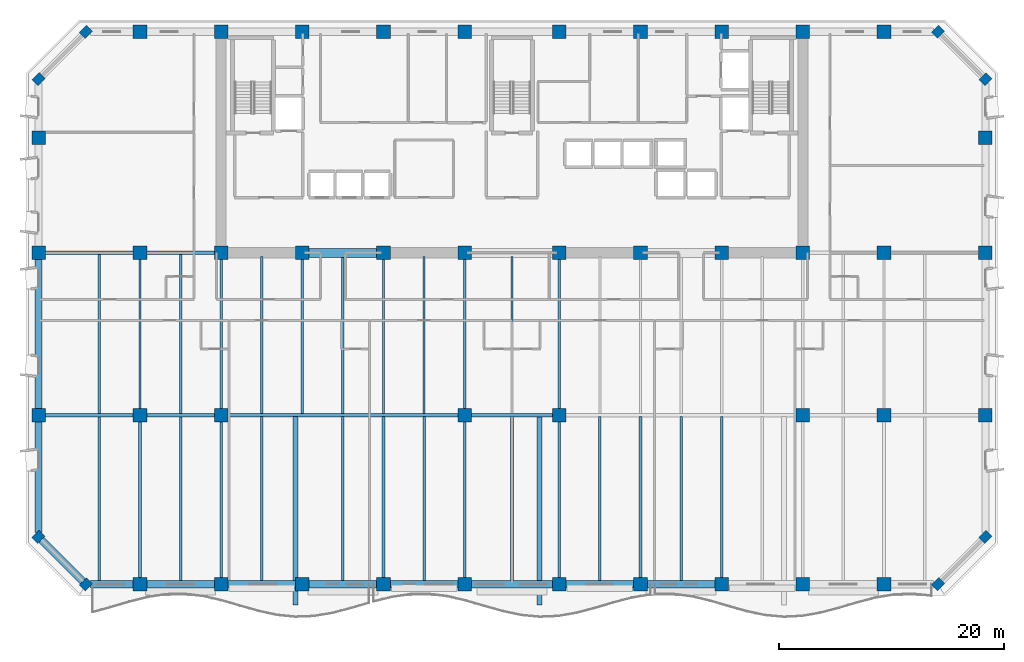
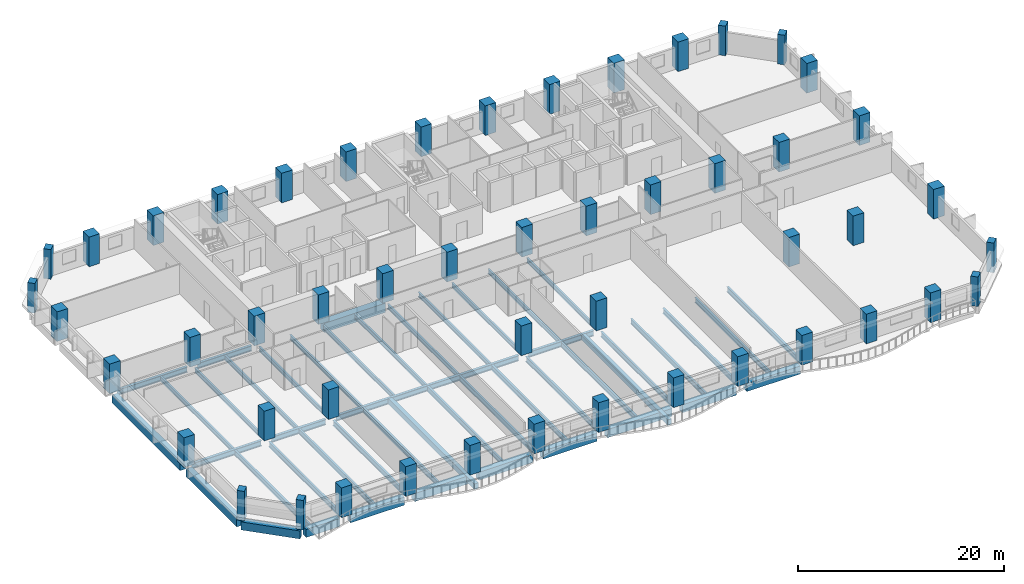
# One storey, part 1 of 15: 50 columns, 47 beams.
"""IFC4 building model written with IfcOpenShell, lengths in metres."""

from ifc_helpers import new_model, si_unit, direction, frame, origin, origin_2d, place, context, subcontext, project, spatial, rectangle, i_section, extrude, material, material_profile, profile_set, type_object, element, save


model = new_model("IFC4")

# Units and contexts
model_context = context("Model", 3, precision=1e-05, world=origin(), true_north=direction((0.0, 1.0)))
body_context = subcontext(model_context, "Body", "Model", "MODEL_VIEW")
ifc_project = project(units=[si_unit("LENGTHUNIT", "METRE"), si_unit("AREAUNIT", "SQUARE_METRE"), si_unit("VOLUMEUNIT", "CUBIC_METRE"), si_unit("PLANEANGLEUNIT", "RADIAN"), si_unit("MASSUNIT", "GRAM", prefix="KILO")], contexts=[model_context])

# Site, building, storey
site_placement = place(None, origin())
site = spatial("IfcSite", under=ifc_project, at=site_placement, CompositionType="ELEMENT")
building_placement = place(site_placement, origin())
building = spatial("IfcBuilding", under=site, at=building_placement, Name="Kaelvorn Grand Hotel", CompositionType="ELEMENT")
storey_placement = place(building_placement, frame((0.0, 0.0, 111.800048828125)))
storey = spatial("IfcBuildingStorey", under=building, at=storey_placement, Name="L26", CompositionType="ELEMENT", Elevation=111.800048828125)

# Columns
ifc_material_1 = material(Name="Concrete C60/75", Category="concrete")
ifc_material_profile_1 = material_profile(ifc_material_1, rectangle(XDim=0.89990234375, YDim=0.75, at=origin_2d()), Name="RC PILASTER 900x750")
ifc_profile_set_1 = profile_set([ifc_material_profile_1], Name="Concrete C60/75")
column_type_1 = type_object("IfcColumnType", Name="COL-PIL-900x750-C60", PredefinedType="PILASTER", material=ifc_profile_set_1)
for number, where, z_axis, x_axis, name in (
    (1, (4.199951171875, 0.0, 0.0), (0.0, 0.0, 1.0), (0.707106781187, 0.707106781187, 0.0), "L26 Structural Column CH-01"),
    (2, (79.800048828125, 0.0, 0.0), (0.0, 0.0, 1.0), (0.707106781187, 0.707106781187, 0.0), "L26 Structural Column CH-02"),
    (3, (84.0, 4.199951171875, 0.0), (0.0, 0.0, 1.0), (0.707106781187, 0.707106781187, 0.0), "L26 Structural Column CH-03"),
    (4, (84.0, 44.800048828125, 0.0), (0.0, 0.0, 1.0), (0.707106781187, 0.707106781187, 0.0), "L26 Structural Column CH-04"),
    (5, (79.800048828125, 49.0, 0.0), (0.0, 0.0, 1.0), (0.707106781187, 0.707106781187, 0.0), "L26 Structural Column CH-05"),
    (6, (4.199951171875, 49.0, 0.0), (0.0, 0.0, 1.0), (0.707106781187, 0.707106781187, 0.0), "L26 Structural Column CH-06"),
    (7, (0.0, 44.800048828125, 0.0), (0.0, 0.0, 1.0), (0.707106781187, 0.707106781187, 0.0), "L26 Structural Column CH-07"),
    (8, (0.0, 4.199951171875, 0.0), (0.0, 0.0, 1.0), (0.707106781187, 0.707106781187, 0.0), "L26 Structural Column CH-08"),
):
    element("IfcColumn", number, at=place(storey_placement, frame(where, z_axis=z_axis, x_axis=x_axis)), inside=storey, type_object=column_type_1, Name=name, PredefinedType="PILASTER", context=body_context, shape_type="SweptSolid", body=[
        extrude(rectangle(XDim=0.89990234375, YDim=0.75, at=origin_2d()), origin(), (0.0, 0.0, 1.0), 3.510009765625),
    ])
ifc_material_profile_2 = material_profile(ifc_material_1, rectangle(XDim=1.199951171875, YDim=1.199951171875, at=origin_2d()), Name="RC COL 1200x1200")
ifc_profile_set_2 = profile_set([ifc_material_profile_2], Name="Concrete C60/75")
column_type_2 = type_object("IfcColumnType", Name="COL-RC-1200-C60", PredefinedType="COLUMN", material=ifc_profile_set_2)
for number, where, z_axis, x_axis, name in (
    (9, (9.0, 0.0, 0.0), (0.0, 0.0, 1.0), (1.0, 0.0, 0.0), "L26 Structural Column S-01"),
    (10, (16.199951171875, 0.0, 0.0), (0.0, 0.0, 1.0), (1.0, 0.0, 0.0), "L26 Structural Column S-02"),
    (11, (23.39990234375, 0.0, 0.0), (0.0, 0.0, 1.0), (1.0, 0.0, 0.0), "L26 Structural Column S-03"),
    (12, (30.60009765625, 0.0, 0.0), (0.0, 0.0, 1.0), (1.0, 0.0, 0.0), "L26 Structural Column S-04"),
    (13, (37.800048828125, 0.0, 0.0), (0.0, 0.0, 1.0), (1.0, 0.0, 0.0), "L26 Structural Column S-05"),
    (14, (46.199951171875, 0.0, 0.0), (0.0, 0.0, 1.0), (1.0, 0.0, 0.0), "L26 Structural Column S-06"),
    (15, (53.39990234375, 0.0, 0.0), (0.0, 0.0, 1.0), (1.0, 0.0, 0.0), "L26 Structural Column S-07"),
    (16, (60.60009765625, 0.0, 0.0), (0.0, 0.0, 1.0), (1.0, 0.0, 0.0), "L26 Structural Column S-08"),
    (17, (67.800048828125, 0.0, 0.0), (0.0, 0.0, 1.0), (1.0, 0.0, 0.0), "L26 Structural Column S-09"),
    (18, (75.0, 0.0, 0.0), (0.0, 0.0, 1.0), (1.0, 0.0, 0.0), "L26 Structural Column S-10"),
    (19, (0.0, 15.0, 0.0), (0.0, 0.0, 1.0), (1.0, 0.0, 0.0), "L26 Structural Column W-01"),
    (20, (84.0, 15.0, 0.0), (0.0, 0.0, 1.0), (1.0, 0.0, 0.0), "L26 Structural Column E-01"),
    (21, (0.0, 29.39990234375, 0.0), (0.0, 0.0, 1.0), (1.0, 0.0, 0.0), "L26 Structural Column W-02"),
    (22, (84.0, 29.39990234375, 0.0), (0.0, 0.0, 1.0), (1.0, 0.0, 0.0), "L26 Structural Column E-02"),
    (23, (0.0, 39.60009765625, 0.0), (0.0, 0.0, 1.0), (1.0, 0.0, 0.0), "L26 Structural Column W-03"),
    (24, (84.0, 39.60009765625, 0.0), (0.0, 0.0, 1.0), (1.0, 0.0, 0.0), "L26 Structural Column E-03"),
    (25, (9.0, 15.0, 0.0), (0.0, 0.0, 1.0), (1.0, 0.0, 0.0), "L26 Structural Column M-01"),
    (26, (16.199951171875, 15.0, 0.0), (0.0, 0.0, 1.0), (1.0, 0.0, 0.0), "L26 Structural Column M-02"),
    (27, (37.800048828125, 15.0, 0.0), (0.0, 0.0, 1.0), (1.0, 0.0, 0.0), "L26 Structural Column M-03"),
    (28, (46.199951171875, 15.0, 0.0), (0.0, 0.0, 1.0), (1.0, 0.0, 0.0), "L26 Structural Column M-04"),
    (29, (67.800048828125, 15.0, 0.0), (0.0, 0.0, 1.0), (1.0, 0.0, 0.0), "L26 Structural Column M-05"),
    (30, (75.0, 15.0, 0.0), (0.0, 0.0, 1.0), (1.0, 0.0, 0.0), "L26 Structural Column M-06"),
    (31, (9.0, 29.39990234375, 0.0), (0.0, 0.0, 1.0), (1.0, 0.0, 0.0), "L26 Structural Column CR1-01"),
    (32, (9.0, 49.0, 0.0), (0.0, 0.0, 1.0), (1.0, 0.0, 0.0), "L26 Structural Column CR2-01"),
    (33, (16.199951171875, 29.39990234375, 0.0), (0.0, 0.0, 1.0), (1.0, 0.0, 0.0), "L26 Structural Column CR1-02"),
    (34, (16.199951171875, 49.0, 0.0), (0.0, 0.0, 1.0), (1.0, 0.0, 0.0), "L26 Structural Column CR2-02"),
    (35, (23.39990234375, 29.39990234375, 0.0), (0.0, 0.0, 1.0), (1.0, 0.0, 0.0), "L26 Structural Column CR1-03"),
    (36, (23.39990234375, 49.0, 0.0), (0.0, 0.0, 1.0), (1.0, 0.0, 0.0), "L26 Structural Column CR2-03"),
    (37, (30.60009765625, 29.39990234375, 0.0), (0.0, 0.0, 1.0), (1.0, 0.0, 0.0), "L26 Structural Column CR1-04"),
    (38, (30.60009765625, 49.0, 0.0), (0.0, 0.0, 1.0), (1.0, 0.0, 0.0), "L26 Structural Column CR2-04"),
    (39, (37.800048828125, 29.39990234375, 0.0), (0.0, 0.0, 1.0), (1.0, 0.0, 0.0), "L26 Structural Column CR1-05"),
    (40, (37.800048828125, 49.0, 0.0), (0.0, 0.0, 1.0), (1.0, 0.0, 0.0), "L26 Structural Column CR2-05"),
    (41, (46.199951171875, 29.39990234375, 0.0), (0.0, 0.0, 1.0), (1.0, 0.0, 0.0), "L26 Structural Column CR1-06"),
    (42, (46.199951171875, 49.0, 0.0), (0.0, 0.0, 1.0), (1.0, 0.0, 0.0), "L26 Structural Column CR2-06"),
    (43, (53.39990234375, 29.39990234375, 0.0), (0.0, 0.0, 1.0), (1.0, 0.0, 0.0), "L26 Structural Column CR1-07"),
    (44, (53.39990234375, 49.0, 0.0), (0.0, 0.0, 1.0), (1.0, 0.0, 0.0), "L26 Structural Column CR2-07"),
    (45, (60.60009765625, 29.39990234375, 0.0), (0.0, 0.0, 1.0), (1.0, 0.0, 0.0), "L26 Structural Column CR1-08"),
    (46, (60.60009765625, 49.0, 0.0), (0.0, 0.0, 1.0), (1.0, 0.0, 0.0), "L26 Structural Column CR2-08"),
    (47, (67.800048828125, 29.39990234375, 0.0), (0.0, 0.0, 1.0), (1.0, 0.0, 0.0), "L26 Structural Column CR1-09"),
    (48, (67.800048828125, 49.0, 0.0), (0.0, 0.0, 1.0), (1.0, 0.0, 0.0), "L26 Structural Column CR2-09"),
    (49, (75.0, 29.39990234375, 0.0), (0.0, 0.0, 1.0), (1.0, 0.0, 0.0), "L26 Structural Column CR1-10"),
    (50, (75.0, 49.0, 0.0), (0.0, 0.0, 1.0), (1.0, 0.0, 0.0), "L26 Structural Column CR2-10"),
):
    element("IfcColumn", number, at=place(storey_placement, frame(where, z_axis=z_axis, x_axis=x_axis)), inside=storey, type_object=column_type_2, Name=name, PredefinedType="COLUMN", context=body_context, shape_type="SweptSolid", body=[
        extrude(rectangle(XDim=1.199951171875, YDim=1.199951171875, at=origin_2d()), origin(), (0.0, 0.0, 1.0), 3.510009765625),
    ])

# Beams
ifc_material_2 = material(Name="Steel S355", Category="steel")
ifc_material_profile_3 = material_profile(ifc_material_2, i_section(OverallWidth=0.300048828125, OverallDepth=0.64990234375, WebThickness=0.01611328125, FlangeThickness=0.031005859375, FilletRadius=0.027099609375, at=origin_2d()), Name="HEB 650")
ifc_profile_set_3 = profile_set([ifc_material_profile_3], Name="Steel S355")
beam_type_1 = type_object("IfcBeamType", Name="BM-G-HEB650-S355", PredefinedType="BEAM", material=ifc_profile_set_3)
beam_1_placement = place(storey_placement, frame((0.5849609375, 15.0, -0.56494140625), z_axis=(1.0, 0.0, 0.0), x_axis=(0.0, 1.0, 0.0)))
element("IfcBeam", 51, at=beam_1_placement, inside=storey, type_object=beam_type_1, Name="L26 Primary Spine Steel Girder G-15 01", PredefinedType="BEAM", context=body_context, shape_type="SweptSolid", body=[
    extrude(i_section(OverallWidth=0.300048828125, OverallDepth=0.64990234375, WebThickness=0.01611328125, FlangeThickness=0.031005859375, FilletRadius=0.027099609375, at=origin_2d()), origin(), (0.0, 0.0, 1.0), 7.830078125),
])
beam_2_placement = place(storey_placement, frame((9.5849609375, 15.0, -0.56494140625), z_axis=(1.0, 0.0, 0.0), x_axis=(0.0, 1.0, 0.0)))
element("IfcBeam", 52, at=beam_2_placement, inside=storey, type_object=beam_type_1, Name="L26 Primary Spine Steel Girder G-15 02", PredefinedType="BEAM", context=body_context, shape_type="SweptSolid", body=[
    extrude(i_section(OverallWidth=0.300048828125, OverallDepth=0.64990234375, WebThickness=0.01611328125, FlangeThickness=0.031005859375, FilletRadius=0.027099609375, at=origin_2d()), origin(), (0.0, 0.0, 1.0), 6.030029296875),
])
beam_3_placement = place(storey_placement, frame((16.784912109375, 15.0, -0.56494140625), z_axis=(1.0, 0.0, 0.0), x_axis=(0.0, 1.0, 0.0)))
element("IfcBeam", 53, at=beam_3_placement, inside=storey, type_object=beam_type_1, Name="L26 Primary Spine Steel Girder G-15 03", PredefinedType="BEAM", context=body_context, shape_type="SweptSolid", body=[
    extrude(i_section(OverallWidth=0.300048828125, OverallDepth=0.64990234375, WebThickness=0.01611328125, FlangeThickness=0.031005859375, FilletRadius=0.027099609375, at=origin_2d()), origin(), (0.0, 0.0, 1.0), 20.43017578125),
])
beam_4_placement = place(storey_placement, frame((38.385009765625, 15.0, -0.56494140625), z_axis=(1.0, 0.0, 0.0), x_axis=(0.0, 1.0, 0.0)))
element("IfcBeam", 54, at=beam_4_placement, inside=storey, type_object=beam_type_1, Name="L26 Primary Spine Steel Girder G-15 04", PredefinedType="BEAM", context=body_context, shape_type="SweptSolid", body=[
    extrude(i_section(OverallWidth=0.300048828125, OverallDepth=0.64990234375, WebThickness=0.01611328125, FlangeThickness=0.031005859375, FilletRadius=0.027099609375, at=origin_2d()), origin(), (0.0, 0.0, 1.0), 7.22998046875),
])
beam_5_placement = place(storey_placement, frame((0.5849609375, 29.39990234375, -0.56494140625), z_axis=(1.0, 0.0, 0.0), x_axis=(0.0, 1.0, 0.0)))
element("IfcBeam", 55, at=beam_5_placement, inside=storey, type_object=beam_type_1, Name="L26 West Core Wing Steel Girder G-29W 01", PredefinedType="BEAM", context=body_context, shape_type="SweptSolid", body=[
    extrude(i_section(OverallWidth=0.300048828125, OverallDepth=0.64990234375, WebThickness=0.01611328125, FlangeThickness=0.031005859375, FilletRadius=0.027099609375, at=origin_2d()), origin(), (0.0, 0.0, 1.0), 7.830078125),
])
beam_6_placement = place(storey_placement, frame((9.5849609375, 29.39990234375, -0.56494140625), z_axis=(1.0, 0.0, 0.0), x_axis=(0.0, 1.0, 0.0)))
element("IfcBeam", 56, at=beam_6_placement, inside=storey, type_object=beam_type_1, Name="L26 West Core Wing Steel Girder G-29W 02", PredefinedType="BEAM", context=body_context, shape_type="SweptSolid", body=[
    extrude(i_section(OverallWidth=0.300048828125, OverallDepth=0.64990234375, WebThickness=0.01611328125, FlangeThickness=0.031005859375, FilletRadius=0.027099609375, at=origin_2d()), origin(), (0.0, 0.0, 1.0), 6.030029296875),
])
ifc_material_profile_4 = material_profile(ifc_material_2, i_section(OverallWidth=0.209228515625, OverallDepth=0.533203125, WebThickness=0.010009765625, FlangeThickness=0.015625, FilletRadius=0.0126953125, at=origin_2d()), Name="UB 533x210x92")
ifc_profile_set_4 = profile_set([ifc_material_profile_4], Name="Steel S355")
beam_type_2 = type_object("IfcBeamType", Name="BM-J-UB533-S355", PredefinedType="JOIST", material=ifc_profile_set_4)
beam_7_placement = place(storey_placement, frame((5.39990234375, 15.135009765625, -0.506591796875), z_axis=(0.0, 1.0, 0.0), x_axis=(-1.0, 0.0, 0.0)))
element("IfcBeam", 57, at=beam_7_placement, inside=storey, type_object=beam_type_2, Name="L26 Composite Floor Joist JM-02", PredefinedType="JOIST", context=body_context, shape_type="SweptSolid", body=[
    extrude(i_section(OverallWidth=0.209228515625, OverallDepth=0.533203125, WebThickness=0.010009765625, FlangeThickness=0.015625, FilletRadius=0.0126953125, at=origin_2d()), origin(), (0.0, 0.0, 1.0), 14.1298828125),
])
beam_8_placement = place(storey_placement, frame((9.0, 15.5849609375, -0.506591796875), z_axis=(0.0, 1.0, 0.0), x_axis=(-1.0, 0.0, 0.0)))
element("IfcBeam", 58, at=beam_8_placement, inside=storey, type_object=beam_type_2, Name="L26 Composite Floor Joist JM-03", PredefinedType="JOIST", context=body_context, shape_type="SweptSolid", body=[
    extrude(i_section(OverallWidth=0.209228515625, OverallDepth=0.533203125, WebThickness=0.010009765625, FlangeThickness=0.015625, FilletRadius=0.0126953125, at=origin_2d()), origin(), (0.0, 0.0, 1.0), 13.22998046875),
])
beam_9_placement = place(storey_placement, frame((12.60009765625, 15.135009765625, -0.506591796875), z_axis=(0.0, 1.0, 0.0), x_axis=(-1.0, 0.0, 0.0)))
element("IfcBeam", 59, at=beam_9_placement, inside=storey, type_object=beam_type_2, Name="L26 Composite Floor Joist JM-04", PredefinedType="JOIST", context=body_context, shape_type="SweptSolid", body=[
    extrude(i_section(OverallWidth=0.209228515625, OverallDepth=0.533203125, WebThickness=0.010009765625, FlangeThickness=0.015625, FilletRadius=0.0126953125, at=origin_2d()), origin(), (0.0, 0.0, 1.0), 14.1298828125),
])
beam_10_placement = place(storey_placement, frame((16.199951171875, 15.5849609375, -0.506591796875), z_axis=(0.0, 1.0, 0.0), x_axis=(-1.0, 0.0, 0.0)))
element("IfcBeam", 60, at=beam_10_placement, inside=storey, type_object=beam_type_2, Name="L26 Composite Floor Joist JM-05", PredefinedType="JOIST", context=body_context, shape_type="SweptSolid", body=[
    extrude(i_section(OverallWidth=0.209228515625, OverallDepth=0.533203125, WebThickness=0.010009765625, FlangeThickness=0.015625, FilletRadius=0.0126953125, at=origin_2d()), origin(), (0.0, 0.0, 1.0), 13.22998046875),
])
beam_11_placement = place(storey_placement, frame((19.800048828125, 15.135009765625, -0.506591796875), z_axis=(0.0, 1.0, 0.0), x_axis=(-1.0, 0.0, 0.0)))
element("IfcBeam", 61, at=beam_11_placement, inside=storey, type_object=beam_type_2, Name="L26 Composite Floor Joist JM-06", PredefinedType="JOIST", context=body_context, shape_type="SweptSolid", body=[
    extrude(i_section(OverallWidth=0.209228515625, OverallDepth=0.533203125, WebThickness=0.010009765625, FlangeThickness=0.015625, FilletRadius=0.0126953125, at=origin_2d()), origin(), (0.0, 0.0, 1.0), 13.925048828125),
])
beam_12_placement = place(storey_placement, frame((23.39990234375, 15.135009765625, -0.506591796875), z_axis=(0.0, 1.0, 0.0), x_axis=(-1.0, 0.0, 0.0)))
element("IfcBeam", 62, at=beam_12_placement, inside=storey, type_object=beam_type_2, Name="L26 Composite Floor Joist JM-07", PredefinedType="JOIST", context=body_context, shape_type="SweptSolid", body=[
    extrude(i_section(OverallWidth=0.209228515625, OverallDepth=0.533203125, WebThickness=0.010009765625, FlangeThickness=0.015625, FilletRadius=0.0126953125, at=origin_2d()), origin(), (0.0, 0.0, 1.0), 13.679931640625),
])
beam_13_placement = place(storey_placement, frame((27.0, 15.135009765625, -0.506591796875), z_axis=(0.0, 1.0, 0.0), x_axis=(-1.0, 0.0, 0.0)))
element("IfcBeam", 63, at=beam_13_placement, inside=storey, type_object=beam_type_2, Name="L26 Composite Floor Joist JM-08", PredefinedType="JOIST", context=body_context, shape_type="SweptSolid", body=[
    extrude(i_section(OverallWidth=0.209228515625, OverallDepth=0.533203125, WebThickness=0.010009765625, FlangeThickness=0.015625, FilletRadius=0.0126953125, at=origin_2d()), origin(), (0.0, 0.0, 1.0), 13.925048828125),
])
beam_14_placement = place(storey_placement, frame((30.60009765625, 15.135009765625, -0.506591796875), z_axis=(0.0, 1.0, 0.0), x_axis=(-1.0, 0.0, 0.0)))
element("IfcBeam", 64, at=beam_14_placement, inside=storey, type_object=beam_type_2, Name="L26 Composite Floor Joist JM-09", PredefinedType="JOIST", context=body_context, shape_type="SweptSolid", body=[
    extrude(i_section(OverallWidth=0.209228515625, OverallDepth=0.533203125, WebThickness=0.010009765625, FlangeThickness=0.015625, FilletRadius=0.0126953125, at=origin_2d()), origin(), (0.0, 0.0, 1.0), 13.679931640625),
])
beam_15_placement = place(storey_placement, frame((34.199951171875, 15.135009765625, -0.506591796875), z_axis=(0.0, 1.0, 0.0), x_axis=(-1.0, 0.0, 0.0)))
element("IfcBeam", 65, at=beam_15_placement, inside=storey, type_object=beam_type_2, Name="L26 Composite Floor Joist JM-10", PredefinedType="JOIST", context=body_context, shape_type="SweptSolid", body=[
    extrude(i_section(OverallWidth=0.209228515625, OverallDepth=0.533203125, WebThickness=0.010009765625, FlangeThickness=0.015625, FilletRadius=0.0126953125, at=origin_2d()), origin(), (0.0, 0.0, 1.0), 13.925048828125),
])
beam_16_placement = place(storey_placement, frame((37.800048828125, 15.5849609375, -0.506591796875), z_axis=(0.0, 1.0, 0.0), x_axis=(-1.0, 0.0, 0.0)))
element("IfcBeam", 66, at=beam_16_placement, inside=storey, type_object=beam_type_2, Name="L26 Composite Floor Joist JM-11", PredefinedType="JOIST", context=body_context, shape_type="SweptSolid", body=[
    extrude(i_section(OverallWidth=0.209228515625, OverallDepth=0.533203125, WebThickness=0.010009765625, FlangeThickness=0.015625, FilletRadius=0.0126953125, at=origin_2d()), origin(), (0.0, 0.0, 1.0), 13.22998046875),
])
beam_17_placement = place(storey_placement, frame((42.0, 15.135009765625, -0.506591796875), z_axis=(0.0, 1.0, 0.0), x_axis=(-1.0, 0.0, 0.0)))
element("IfcBeam", 67, at=beam_17_placement, inside=storey, type_object=beam_type_2, Name="L26 Composite Floor Joist JM-12", PredefinedType="JOIST", context=body_context, shape_type="SweptSolid", body=[
    extrude(i_section(OverallWidth=0.209228515625, OverallDepth=0.533203125, WebThickness=0.010009765625, FlangeThickness=0.015625, FilletRadius=0.0126953125, at=origin_2d()), origin(), (0.0, 0.0, 1.0), 13.925048828125),
])
beam_18_placement = place(storey_placement, frame((46.199951171875, 15.5849609375, -0.506591796875), z_axis=(0.0, 1.0, 0.0), x_axis=(-1.0, 0.0, 0.0)))
element("IfcBeam", 68, at=beam_18_placement, inside=storey, type_object=beam_type_2, Name="L26 Composite Floor Joist JM-13", PredefinedType="JOIST", context=body_context, shape_type="SweptSolid", body=[
    extrude(i_section(OverallWidth=0.209228515625, OverallDepth=0.533203125, WebThickness=0.010009765625, FlangeThickness=0.015625, FilletRadius=0.0126953125, at=origin_2d()), origin(), (0.0, 0.0, 1.0), 13.22998046875),
])
ifc_material_profile_5 = material_profile(ifc_material_2, i_section(OverallWidth=0.22900390625, OverallDepth=0.6123046875, WebThickness=0.011962890625, FlangeThickness=0.01953125, FilletRadius=0.0126953125, at=origin_2d()), Name="UB 610x229x125")
ifc_profile_set_5 = profile_set([ifc_material_profile_5], Name="Steel S355")
beam_type_3 = type_object("IfcBeamType", Name="BM-J-UB610-S355", PredefinedType="JOIST", material=ifc_profile_set_5)
beam_19_placement = place(storey_placement, frame((5.39990234375, 0.31005859375, -0.546142578125), z_axis=(0.0, 1.0, 0.0), x_axis=(-1.0, 0.0, 0.0)))
element("IfcBeam", 69, at=beam_19_placement, inside=storey, type_object=beam_type_3, Name="L26 Composite Floor Joist JS-02", PredefinedType="JOIST", context=body_context, shape_type="SweptSolid", body=[
    extrude(i_section(OverallWidth=0.22900390625, OverallDepth=0.6123046875, WebThickness=0.011962890625, FlangeThickness=0.01953125, FilletRadius=0.0126953125, at=origin_2d()), origin(), (0.0, 0.0, 1.0), 14.554931640625),
])
beam_20_placement = place(storey_placement, frame((9.0, 0.5849609375, -0.546142578125), z_axis=(0.0, 1.0, 0.0), x_axis=(-1.0, 0.0, 0.0)))
element("IfcBeam", 70, at=beam_20_placement, inside=storey, type_object=beam_type_3, Name="L26 Composite Floor Joist JS-03", PredefinedType="JOIST", context=body_context, shape_type="SweptSolid", body=[
    extrude(i_section(OverallWidth=0.22900390625, OverallDepth=0.6123046875, WebThickness=0.011962890625, FlangeThickness=0.01953125, FilletRadius=0.0126953125, at=origin_2d()), origin(), (0.0, 0.0, 1.0), 13.830078125),
])
beam_21_placement = place(storey_placement, frame((12.60009765625, 0.31005859375, -0.546142578125), z_axis=(0.0, 1.0, 0.0), x_axis=(-1.0, 0.0, 0.0)))
element("IfcBeam", 71, at=beam_21_placement, inside=storey, type_object=beam_type_3, Name="L26 Composite Floor Joist JS-04", PredefinedType="JOIST", context=body_context, shape_type="SweptSolid", body=[
    extrude(i_section(OverallWidth=0.22900390625, OverallDepth=0.6123046875, WebThickness=0.011962890625, FlangeThickness=0.01953125, FilletRadius=0.0126953125, at=origin_2d()), origin(), (0.0, 0.0, 1.0), 14.554931640625),
])
beam_22_placement = place(storey_placement, frame((16.199951171875, 0.5849609375, -0.546142578125), z_axis=(0.0, 1.0, 0.0), x_axis=(-1.0, 0.0, 0.0)))
element("IfcBeam", 72, at=beam_22_placement, inside=storey, type_object=beam_type_3, Name="L26 Composite Floor Joist JS-05", PredefinedType="JOIST", context=body_context, shape_type="SweptSolid", body=[
    extrude(i_section(OverallWidth=0.22900390625, OverallDepth=0.6123046875, WebThickness=0.011962890625, FlangeThickness=0.01953125, FilletRadius=0.0126953125, at=origin_2d()), origin(), (0.0, 0.0, 1.0), 13.830078125),
])
for number, where, z_axis, x_axis, name in (
    (73, (19.800048828125, 0.31005859375, -0.546142578125), (0.0, 1.0, 0.0), (-1.0, 0.0, 0.0), "L26 Composite Floor Joist JS-06"),
    (74, (27.0, 0.31005859375, -0.546142578125), (0.0, 1.0, 0.0), (-1.0, 0.0, 0.0), "L26 Composite Floor Joist JS-08"),
):
    element("IfcBeam", number, at=place(storey_placement, frame(where, z_axis=z_axis, x_axis=x_axis)), inside=storey, type_object=beam_type_3, Name=name, PredefinedType="JOIST", context=body_context, shape_type="SweptSolid", body=[
        extrude(i_section(OverallWidth=0.22900390625, OverallDepth=0.6123046875, WebThickness=0.011962890625, FlangeThickness=0.01953125, FilletRadius=0.0126953125, at=origin_2d()), origin(), (0.0, 0.0, 1.0), 14.554931640625),
    ])
beam_23_placement = place(storey_placement, frame((30.60009765625, 0.5849609375, -0.546142578125), z_axis=(0.0, 1.0, 0.0), x_axis=(-1.0, 0.0, 0.0)))
element("IfcBeam", 75, at=beam_23_placement, inside=storey, type_object=beam_type_3, Name="L26 Composite Floor Joist JS-09", PredefinedType="JOIST", context=body_context, shape_type="SweptSolid", body=[
    extrude(i_section(OverallWidth=0.22900390625, OverallDepth=0.6123046875, WebThickness=0.011962890625, FlangeThickness=0.01953125, FilletRadius=0.0126953125, at=origin_2d()), origin(), (0.0, 0.0, 1.0), 14.280029296875),
])
beam_24_placement = place(storey_placement, frame((34.199951171875, 0.31005859375, -0.546142578125), z_axis=(0.0, 1.0, 0.0), x_axis=(-1.0, 0.0, 0.0)))
element("IfcBeam", 76, at=beam_24_placement, inside=storey, type_object=beam_type_3, Name="L26 Composite Floor Joist JS-10", PredefinedType="JOIST", context=body_context, shape_type="SweptSolid", body=[
    extrude(i_section(OverallWidth=0.22900390625, OverallDepth=0.6123046875, WebThickness=0.011962890625, FlangeThickness=0.01953125, FilletRadius=0.0126953125, at=origin_2d()), origin(), (0.0, 0.0, 1.0), 14.554931640625),
])
beam_25_placement = place(storey_placement, frame((37.800048828125, 0.5849609375, -0.546142578125), z_axis=(0.0, 1.0, 0.0), x_axis=(-1.0, 0.0, 0.0)))
element("IfcBeam", 77, at=beam_25_placement, inside=storey, type_object=beam_type_3, Name="L26 Composite Floor Joist JS-11", PredefinedType="JOIST", context=body_context, shape_type="SweptSolid", body=[
    extrude(i_section(OverallWidth=0.22900390625, OverallDepth=0.6123046875, WebThickness=0.011962890625, FlangeThickness=0.01953125, FilletRadius=0.0126953125, at=origin_2d()), origin(), (0.0, 0.0, 1.0), 13.830078125),
])
beam_26_placement = place(storey_placement, frame((42.0, 0.31005859375, -0.546142578125), z_axis=(0.0, 1.0, 0.0), x_axis=(-1.0, 0.0, 0.0)))
element("IfcBeam", 78, at=beam_26_placement, inside=storey, type_object=beam_type_3, Name="L26 Composite Floor Joist JS-12", PredefinedType="JOIST", context=body_context, shape_type="SweptSolid", body=[
    extrude(i_section(OverallWidth=0.22900390625, OverallDepth=0.6123046875, WebThickness=0.011962890625, FlangeThickness=0.01953125, FilletRadius=0.0126953125, at=origin_2d()), origin(), (0.0, 0.0, 1.0), 14.554931640625),
])
beam_27_placement = place(storey_placement, frame((46.199951171875, 0.5849609375, -0.546142578125), z_axis=(0.0, 1.0, 0.0), x_axis=(-1.0, 0.0, 0.0)))
element("IfcBeam", 79, at=beam_27_placement, inside=storey, type_object=beam_type_3, Name="L26 Composite Floor Joist JS-13", PredefinedType="JOIST", context=body_context, shape_type="SweptSolid", body=[
    extrude(i_section(OverallWidth=0.22900390625, OverallDepth=0.6123046875, WebThickness=0.011962890625, FlangeThickness=0.01953125, FilletRadius=0.0126953125, at=origin_2d()), origin(), (0.0, 0.0, 1.0), 13.830078125),
])
beam_28_placement = place(storey_placement, frame((49.800048828125, 0.31005859375, -0.546142578125), z_axis=(0.0, 1.0, 0.0), x_axis=(-1.0, 0.0, 0.0)))
element("IfcBeam", 80, at=beam_28_placement, inside=storey, type_object=beam_type_3, Name="L26 Composite Floor Joist JS-14", PredefinedType="JOIST", context=body_context, shape_type="SweptSolid", body=[
    extrude(i_section(OverallWidth=0.22900390625, OverallDepth=0.6123046875, WebThickness=0.011962890625, FlangeThickness=0.01953125, FilletRadius=0.0126953125, at=origin_2d()), origin(), (0.0, 0.0, 1.0), 14.554931640625),
])
beam_29_placement = place(storey_placement, frame((53.39990234375, 0.5849609375, -0.546142578125), z_axis=(0.0, 1.0, 0.0), x_axis=(-1.0, 0.0, 0.0)))
element("IfcBeam", 81, at=beam_29_placement, inside=storey, type_object=beam_type_3, Name="L26 Composite Floor Joist JS-15", PredefinedType="JOIST", context=body_context, shape_type="SweptSolid", body=[
    extrude(i_section(OverallWidth=0.22900390625, OverallDepth=0.6123046875, WebThickness=0.011962890625, FlangeThickness=0.01953125, FilletRadius=0.0126953125, at=origin_2d()), origin(), (0.0, 0.0, 1.0), 14.280029296875),
])
beam_30_placement = place(storey_placement, frame((57.0, 0.31005859375, -0.546142578125), z_axis=(0.0, 1.0, 0.0), x_axis=(-1.0, 0.0, 0.0)))
element("IfcBeam", 82, at=beam_30_placement, inside=storey, type_object=beam_type_3, Name="L26 Composite Floor Joist JS-16", PredefinedType="JOIST", context=body_context, shape_type="SweptSolid", body=[
    extrude(i_section(OverallWidth=0.22900390625, OverallDepth=0.6123046875, WebThickness=0.011962890625, FlangeThickness=0.01953125, FilletRadius=0.0126953125, at=origin_2d()), origin(), (0.0, 0.0, 1.0), 14.554931640625),
])
beam_31_placement = place(storey_placement, frame((60.60009765625, 0.5849609375, -0.546142578125), z_axis=(0.0, 1.0, 0.0), x_axis=(-1.0, 0.0, 0.0)))
element("IfcBeam", 83, at=beam_31_placement, inside=storey, type_object=beam_type_3, Name="L26 Composite Floor Joist JS-17", PredefinedType="JOIST", context=body_context, shape_type="SweptSolid", body=[
    extrude(i_section(OverallWidth=0.22900390625, OverallDepth=0.6123046875, WebThickness=0.011962890625, FlangeThickness=0.01953125, FilletRadius=0.0126953125, at=origin_2d()), origin(), (0.0, 0.0, 1.0), 14.280029296875),
])
ifc_material_profile_6 = material_profile(ifc_material_1, rectangle(XDim=0.800048828125, YDim=1.10009765625, at=origin_2d()), Name="RC LINTEL 800x1100")
ifc_profile_set_6 = profile_set([ifc_material_profile_6], Name="Concrete C60/75")
beam_type_4 = type_object("IfcBeamType", Name="BM-LIN-800x1100-C60", PredefinedType="LINTEL", material=ifc_profile_set_6)
beam_32_placement = place(storey_placement, frame((23.580078125, 29.39990234375, -0.7900390625), z_axis=(1.0, 0.0, 0.0), x_axis=(0.0, 1.0, 0.0)))
element("IfcBeam", 84, at=beam_32_placement, inside=storey, type_object=beam_type_4, Name="L26 Rear-Core Coupling Lintel Beam CB1-01", PredefinedType="LINTEL", context=body_context, shape_type="SweptSolid", body=[
    extrude(rectangle(XDim=0.800048828125, YDim=1.10009765625, at=origin_2d()), origin(), (0.0, 0.0, 1.0), 6.83984375),
])
ifc_material_3 = material(Name="Concrete C40/50", Category="concrete")
ifc_material_profile_7 = material_profile(ifc_material_3, rectangle(XDim=0.449951171875, YDim=0.64990234375, at=origin_2d()), Name="RC RIB 450x650")
ifc_profile_set_7 = profile_set([ifc_material_profile_7], Name="Concrete C40/50")
beam_type_5 = type_object("IfcBeamType", Name="BM-RIB-450x650-C40", PredefinedType="SPANDREL", material=ifc_profile_set_7)
for number, where, z_axis, x_axis, name in (
    (85, (22.791015625, -1.85009765625, -0.545166015625), (0.0, 1.0, 0.0), (-1.0, 0.0, 0.0), "L26 Cantilevered Balcony Back-Span Rib RB1-1"),
    (86, (44.453369140625, -1.85009765625, -0.545166015625), (0.0, 1.0, 0.0), (-1.0, 0.0, 0.0), "L26 Cantilevered Balcony Back-Span Rib RB1-2"),
):
    element("IfcBeam", number, at=place(storey_placement, frame(where, z_axis=z_axis, x_axis=x_axis)), inside=storey, type_object=beam_type_5, Name=name, PredefinedType="SPANDREL", context=body_context, shape_type="SweptSolid", body=[
        extrude(rectangle(XDim=0.449951171875, YDim=0.64990234375, at=origin_2d()), origin(), (0.0, 0.0, 1.0), 16.715087890625),
    ])
ifc_material_profile_8 = material_profile(ifc_material_1, rectangle(XDim=0.64990234375, YDim=0.949951171875, at=origin_2d()), Name="RC SPANDREL 650x950")
ifc_profile_set_8 = profile_set([ifc_material_profile_8], Name="Concrete C60/75")
beam_type_6 = type_object("IfcBeamType", Name="BM-SP-650x950-C60", PredefinedType="SPANDREL", material=ifc_profile_set_8)
beam_33_placement = place(storey_placement, frame((4.60498046875, 0.0, -0.715087890625), z_axis=(1.0, 0.0, 0.0), x_axis=(0.0, 1.0, 0.0)))
element("IfcBeam", 87, at=beam_33_placement, inside=storey, type_object=beam_type_6, Name="L26 South Perimeter Spandrel 01", PredefinedType="SPANDREL", context=body_context, shape_type="SweptSolid", body=[
    extrude(rectangle(XDim=0.64990234375, YDim=0.949951171875, at=origin_2d()), origin(), (0.0, 0.0, 1.0), 3.81005859375),
])
for number, where, z_axis, x_axis, name in (
    (88, (9.5849609375, 0.0, -0.715087890625), (1.0, 0.0, 0.0), (0.0, 1.0, 0.0), "L26 South Perimeter Spandrel 02"),
    (89, (16.784912109375, 0.0, -0.715087890625), (1.0, 0.0, 0.0), (0.0, 1.0, 0.0), "L26 South Perimeter Spandrel 03"),
):
    element("IfcBeam", number, at=place(storey_placement, frame(where, z_axis=z_axis, x_axis=x_axis)), inside=storey, type_object=beam_type_6, Name=name, PredefinedType="SPANDREL", context=body_context, shape_type="SweptSolid", body=[
        extrude(rectangle(XDim=0.64990234375, YDim=0.949951171875, at=origin_2d()), origin(), (0.0, 0.0, 1.0), 6.030029296875),
    ])
beam_34_placement = place(storey_placement, frame((23.985107421875, 0.0, -0.715087890625), z_axis=(1.0, 0.0, 0.0), x_axis=(0.0, 1.0, 0.0)))
element("IfcBeam", 90, at=beam_34_placement, inside=storey, type_object=beam_type_6, Name="L26 South Perimeter Spandrel 04", PredefinedType="SPANDREL", context=body_context, shape_type="SweptSolid", body=[
    extrude(rectangle(XDim=0.64990234375, YDim=0.949951171875, at=origin_2d()), origin(), (0.0, 0.0, 1.0), 6.02978515625),
])
beam_35_placement = place(storey_placement, frame((31.18505859375, 0.0, -0.715087890625), z_axis=(1.0, 0.0, 0.0), x_axis=(0.0, 1.0, 0.0)))
element("IfcBeam", 91, at=beam_35_placement, inside=storey, type_object=beam_type_6, Name="L26 South Perimeter Spandrel 05", PredefinedType="SPANDREL", context=body_context, shape_type="SweptSolid", body=[
    extrude(rectangle(XDim=0.64990234375, YDim=0.949951171875, at=origin_2d()), origin(), (0.0, 0.0, 1.0), 6.030029296875),
])
beam_36_placement = place(storey_placement, frame((38.385009765625, 0.0, -0.715087890625), z_axis=(1.0, 0.0, 0.0), x_axis=(0.0, 1.0, 0.0)))
element("IfcBeam", 92, at=beam_36_placement, inside=storey, type_object=beam_type_6, Name="L26 South Perimeter Spandrel 06", PredefinedType="SPANDREL", context=body_context, shape_type="SweptSolid", body=[
    extrude(rectangle(XDim=0.64990234375, YDim=0.949951171875, at=origin_2d()), origin(), (0.0, 0.0, 1.0), 7.22998046875),
])
beam_37_placement = place(storey_placement, frame((46.784912109375, 0.0, -0.715087890625), z_axis=(1.0, 0.0, 0.0), x_axis=(0.0, 1.0, 0.0)))
element("IfcBeam", 93, at=beam_37_placement, inside=storey, type_object=beam_type_6, Name="L26 South Perimeter Spandrel 07", PredefinedType="SPANDREL", context=body_context, shape_type="SweptSolid", body=[
    extrude(rectangle(XDim=0.64990234375, YDim=0.949951171875, at=origin_2d()), origin(), (0.0, 0.0, 1.0), 6.030029296875),
])
beam_38_placement = place(storey_placement, frame((53.985107421875, 0.0, -0.715087890625), z_axis=(1.0, 0.0, 0.0), x_axis=(0.0, 1.0, 0.0)))
element("IfcBeam", 94, at=beam_38_placement, inside=storey, type_object=beam_type_6, Name="L26 South Perimeter Spandrel 08", PredefinedType="SPANDREL", context=body_context, shape_type="SweptSolid", body=[
    extrude(rectangle(XDim=0.64990234375, YDim=0.949951171875, at=origin_2d()), origin(), (0.0, 0.0, 1.0), 6.02978515625),
])
beam_39_placement = place(storey_placement, frame((0.0, 4.60498046875, -0.715087890625), z_axis=(0.0, 1.0, 0.0), x_axis=(-1.0, 0.0, 0.0)))
element("IfcBeam", 95, at=beam_39_placement, inside=storey, type_object=beam_type_6, Name="L26 West Perimeter Spandrel 01", PredefinedType="SPANDREL", context=body_context, shape_type="SweptSolid", body=[
    extrude(rectangle(XDim=0.64990234375, YDim=0.949951171875, at=origin_2d()), origin(), (0.0, 0.0, 1.0), 9.81005859375),
])
beam_40_placement = place(storey_placement, frame((0.0, 15.5849609375, -0.715087890625), z_axis=(0.0, 1.0, 0.0), x_axis=(-1.0, 0.0, 0.0)))
element("IfcBeam", 96, at=beam_40_placement, inside=storey, type_object=beam_type_6, Name="L26 West Perimeter Spandrel 02", PredefinedType="SPANDREL", context=body_context, shape_type="SweptSolid", body=[
    extrude(rectangle(XDim=0.64990234375, YDim=0.949951171875, at=origin_2d()), origin(), (0.0, 0.0, 1.0), 13.22998046875),
])
beam_41_placement = place(storey_placement, frame((0.0, 4.199951171875, -0.715087890625), z_axis=(0.707106781187, -0.707106781187, 0.0), x_axis=(0.707106781187, 0.707106781187, 0.0)))
element("IfcBeam", 97, at=beam_41_placement, inside=storey, type_object=beam_type_6, Name="L26 Chamfer Spandrel Beam 4", PredefinedType="SPANDREL", context=body_context, shape_type="SweptSolid", body=[
    extrude(rectangle(XDim=0.64990234375, YDim=0.949951171875, at=origin_2d()), origin(), (0.0, 0.0, 1.0), 5.939697265625),
])

save(model, "model.ifc")
